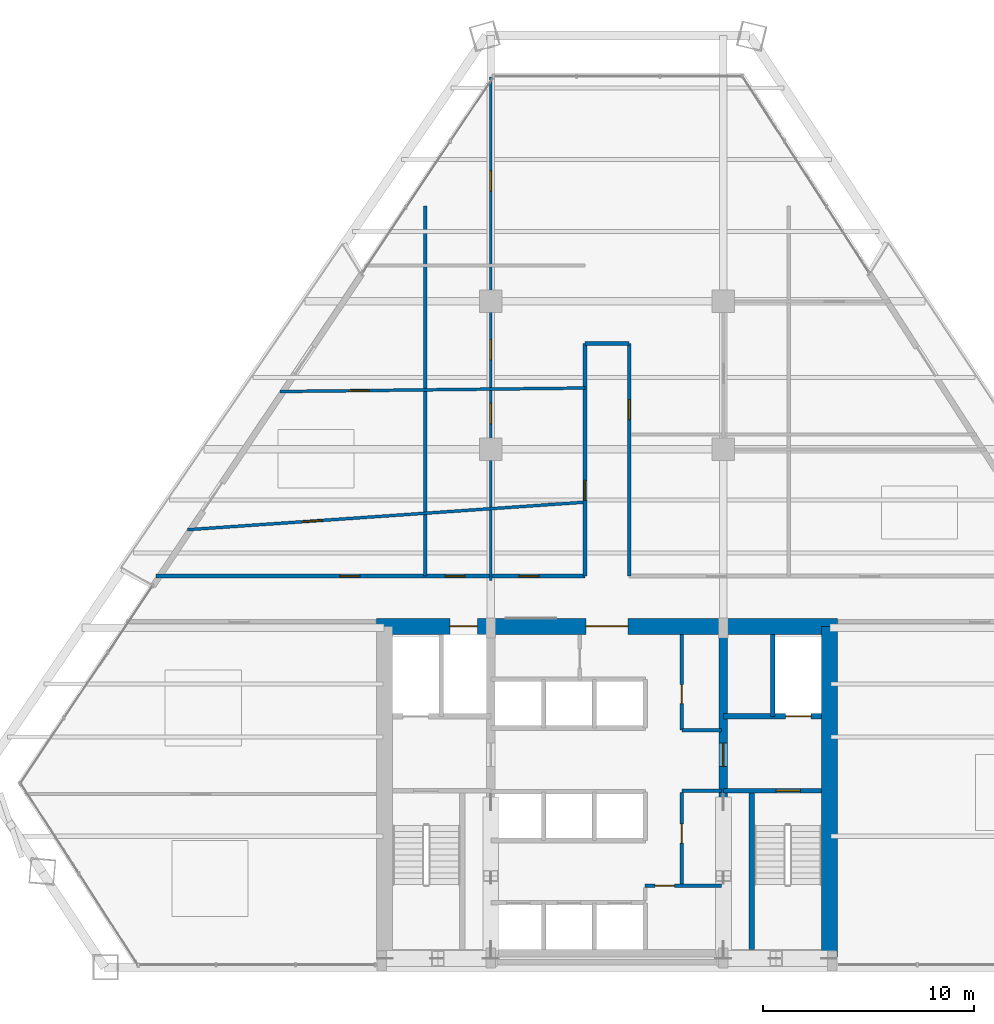
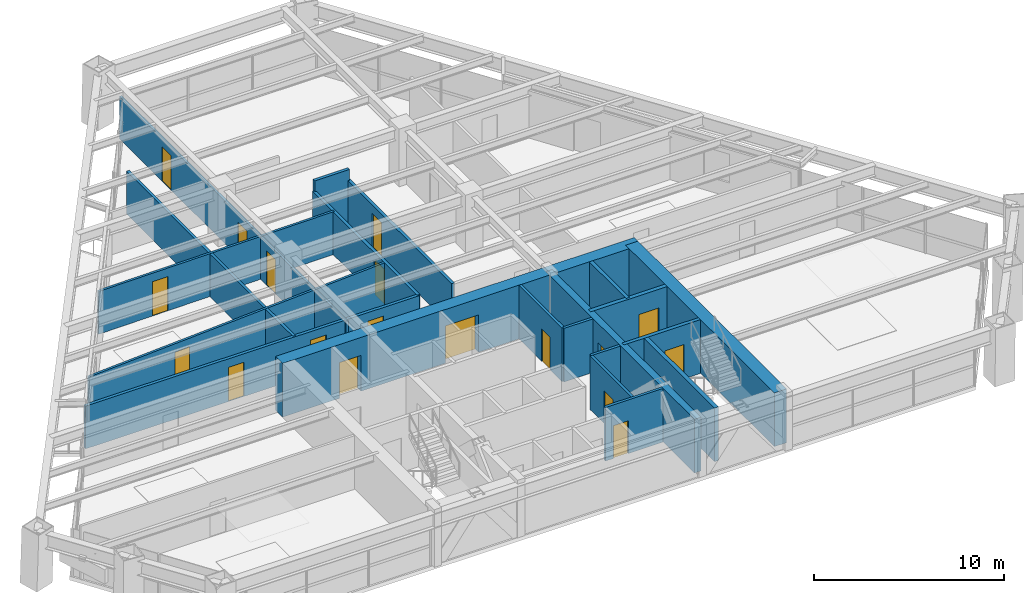
# One storey, part 11 of 14: 20 walls, 18 doors, 18 openings.
"""IFC4 building model written with IfcOpenShell, lengths in metres."""

from ifc_helpers import new_model, si_unit, direction, frame, frame_2d, origin, place, context, subcontext, project, spatial, rectangle, extrude, source, transform, mapped, material, layer, layer_set, type_object, type_shapes, element, fill, save


model = new_model("IFC4")

# Units and contexts
model_context = context("Model", 3, precision=1e-05, world=origin(), true_north=direction((0.0, 1.0)))
body_context = subcontext(model_context, "Body", "Model", "MODEL_VIEW")
ifc_project = project(units=[si_unit("LENGTHUNIT", "METRE"), si_unit("AREAUNIT", "SQUARE_METRE"), si_unit("VOLUMEUNIT", "CUBIC_METRE"), si_unit("PLANEANGLEUNIT", "RADIAN"), si_unit("MASSUNIT", "GRAM", prefix="KILO")], contexts=[model_context])

# Site, building, storey
site_placement = place(None, origin())
site = spatial("IfcSite", under=ifc_project, at=site_placement, CompositionType="ELEMENT")
building_placement = place(site_placement, origin())
building = spatial("IfcBuilding", under=site, at=building_placement, Name="Varnakhor Terracotta Tower", CompositionType="ELEMENT")
storey_placement = place(building_placement, frame((0.0, 0.0, 102.5)))
storey = spatial("IfcBuildingStorey", under=building, at=storey_placement, Name="L25", CompositionType="ELEMENT", Elevation=102.5)

# Wall, openings, doors
ifc_material_1 = material(Name="Concrete C60/75", Category="concrete")
ifc_layer_1 = layer(ifc_material_1, 0.75, Name="Concrete C60/75")
ifc_layer_set_1 = layer_set([ifc_layer_1], Name="Concrete C60/75")
wall_type_1 = type_object("IfcWallType", Name="WAL-CORE-750", PredefinedType="SHEAR", material=ifc_layer_set_1)
wall_1_placement = place(storey_placement, frame((-10.89990234375, 16.125, 0.0), z_axis=(0.0, 0.0, 1.0), x_axis=(1.0, 0.0, 0.0)))
wall_1 = element("IfcWall", 1, at=wall_1_placement, inside=storey, type_object=wall_type_1, Name="L25 North Core Shear Wall", PredefinedType="SHEAR", context=body_context, shape_type="SweptSolid", body=[
    extrude(rectangle(XDim=21.7998046875, YDim=0.75, at=frame_2d((10.89990234375, 0.0))), origin(), (0.0, 0.0, 1.0), 3.449951171875),
])
opening_1_placement = place(wall_1_placement, frame((3.469970703125, 0.0, 0.0)))
opening_1 = element("IfcOpeningElement", 2, at=opening_1_placement, cuts=wall_1, Name="Opening LD-03", PredefinedType="OPENING", context=body_context, shape_type="SweptSolid", body=[
    extrude(rectangle(XDim=1.300048828125, YDim=2.300048828125, at=frame_2d((0.64990234375, 1.14990234375))), frame((0.0, 0.385009765625, 0.0), z_axis=(0.0, -1.0, 0.0), x_axis=(1.0, 0.0, 0.0)), (0.0, 0.0, 1.0), 0.77001953125),
])
opening_2_placement = place(wall_1_placement, frame((9.89990234375, 0.0, 0.0)))
opening_2 = element("IfcOpeningElement", 3, at=opening_2_placement, cuts=wall_1, Name="Opening DR-32", PredefinedType="OPENING", context=body_context, shape_type="SweptSolid", body=[
    extrude(rectangle(XDim=2.0, YDim=2.39990234375, at=frame_2d((1.0, 1.199951171875))), frame((0.0, 0.385009765625, 0.0), z_axis=(0.0, -1.0, 0.0), x_axis=(1.0, 0.0, 0.0)), (0.0, 0.0, 1.0), 0.77001953125),
])
ifc_material_2 = material(Name="Heavy-Duty Goods Sliding Lift Landing Door", Category="steel")
door_type_1 = type_object("IfcDoorType", Name="LD-SRV-1300X2300", OperationType="NOTDEFINED", PredefinedType="DOOR", material=ifc_material_2)
shared_shape_1 = source(origin(), body_context, "Body", "SweptSolid", [
    extrude(rectangle(XDim=1.300048828125, YDim=2.300048828125, at=frame_2d((0.64990234375, 1.14990234375))), frame((0.0, 0.02490234375, 0.0), z_axis=(0.0, -1.0, 0.0), x_axis=(1.0, 0.0, 0.0)), (0.0, 0.0, 1.0), 0.050048828125),
])
type_shapes(door_type_1, [shared_shape_1])
door_1_placement = place(opening_1_placement, origin())
door_1 = element("IfcDoor", 4, at=door_1_placement, inside=storey, type_object=door_type_1, Name="L25 Service Lift SVL-1 Landing Door", OperationType="SLIDING_TO_RIGHT", OverallHeight=2.300048828125, OverallWidth=1.300048828125, PredefinedType="DOOR", context=body_context, shape_type="MappedRepresentation", body=[
    mapped(shared_shape_1, transform((0.0, 0.0, 0.0), scale=1.0)),
])
fill(opening_1, door_1)
ifc_material_3 = material(Name="Acoustic Double Assembly Fire Door", Category="wood")
door_type_2 = type_object("IfcDoorType", Name="DR-HALL-2000X2400", OperationType="NOTDEFINED", PredefinedType="DOOR", material=ifc_material_3)
shared_shape_2 = source(origin(), body_context, "Body", "SweptSolid", [
    extrude(rectangle(XDim=2.0, YDim=2.39990234375, at=frame_2d((1.0, 1.199951171875))), frame((0.0, 0.02490234375, 0.0), z_axis=(0.0, -1.0, 0.0), x_axis=(1.0, 0.0, 0.0)), (0.0, 0.0, 1.0), 0.050048828125),
])
type_shapes(door_type_2, [shared_shape_2])
door_2_placement = place(opening_2_placement, origin())
door_2 = element("IfcDoor", 5, at=door_2_placement, inside=storey, type_object=door_type_2, Name="L25 Core Main Lobby Double Door", OperationType="DOUBLE_DOOR_SINGLE_SWING", OverallHeight=2.39990234375, OverallWidth=2.0, PredefinedType="DOOR", context=body_context, shape_type="MappedRepresentation", body=[
    mapped(shared_shape_2, transform((0.0, 0.0, 0.0), scale=1.0)),
])
fill(opening_2, door_2)

# Wall
wall_2_placement = place(storey_placement, frame((10.52490234375, 0.47509765625, 0.0), z_axis=(0.0, 0.0, 1.0), x_axis=(0.0, 1.0, 0.0)))
element("IfcWall", 6, at=wall_2_placement, inside=storey, type_object=wall_type_1, Name="L25 East Core Shear Wall", PredefinedType="SHEAR", context=body_context, shape_type="SweptSolid", body=[
    extrude(rectangle(XDim=15.64990234375, YDim=0.75, at=frame_2d((7.824951171875, 0.0))), origin(), (0.0, 0.0, 1.0), 3.449951171875),
])

# Wall, opening, door
ifc_material_4 = material(Name="Concrete C50/60", Category="concrete")
ifc_layer_2 = layer(ifc_material_4, 0.39990234375, Name="Concrete C50/60")
ifc_layer_set_2 = layer_set([ifc_layer_2], Name="Concrete C50/60")
wall_type_2 = type_object("IfcWallType", Name="WAL-CORE-WEB-400", PredefinedType="SHEAR", material=ifc_layer_set_2)
wall_3_placement = place(storey_placement, frame((5.5, 0.47509765625, 0.0), z_axis=(0.0, 0.0, 1.0), x_axis=(0.0, 1.0, 0.0)))
wall_3 = element("IfcWall", 7, at=wall_3_placement, inside=storey, type_object=wall_type_2, Name="L25 East Core Web Shear Wall", PredefinedType="SHEAR", context=body_context, shape_type="SweptSolid", body=[
    extrude(rectangle(XDim=15.64990234375, YDim=0.39990234375, at=frame_2d((7.824951171875, 0.0))), origin(), (0.0, 0.0, 1.0), 3.449951171875),
])
opening_3_placement = place(wall_3_placement, frame((9.02490234375, 0.0, 0.0)))
opening_3 = element("IfcOpeningElement", 8, at=opening_3_placement, cuts=wall_3, Name="Opening DR-25", PredefinedType="OPENING", context=body_context, shape_type="SweptSolid", body=[
    extrude(rectangle(XDim=1.10009765625, YDim=2.199951171875, at=frame_2d((0.550048828125, 1.10009765625))), frame((0.0, 0.2099609375, 0.0), z_axis=(0.0, -1.0, 0.0), x_axis=(1.0, 0.0, 0.0)), (0.0, 0.0, 1.0), 0.419921875),
])
ifc_material_5 = material(Name="Firefighting Lobby Self-Closing Fire Door", Category="steel")
door_type_3 = type_object("IfcDoorType", Name="DR-FFL-1100X2200", OperationType="NOTDEFINED", PredefinedType="DOOR", material=ifc_material_5)
shared_shape_3 = source(origin(), body_context, "Body", "SweptSolid", [
    extrude(rectangle(XDim=1.10009765625, YDim=2.199951171875, at=frame_2d((0.550048828125, 1.10009765625))), frame((0.0, 0.02490234375, 0.0), z_axis=(0.0, -1.0, 0.0), x_axis=(1.0, 0.0, 0.0)), (0.0, 0.0, 1.0), 0.050048828125),
])
type_shapes(door_type_3, [shared_shape_3])
door_3_placement = place(opening_3_placement, origin())
door_3 = element("IfcDoor", 9, at=door_3_placement, inside=storey, type_object=door_type_3, Name="L25 East Firefighting Lobby Door", OperationType="SINGLE_SWING_LEFT", OverallHeight=2.199951171875, OverallWidth=1.10009765625, PredefinedType="DOOR", context=body_context, shape_type="MappedRepresentation", body=[
    mapped(shared_shape_3, transform((0.0, 0.0, 0.0), scale=1.0)),
])
fill(opening_3, door_3)

# Wall, openings, doors
ifc_material_6 = material(Name="Fire-Rated Gypsum Stud Partition", Category="gypsum")
ifc_layer_3 = layer(ifc_material_6, 0.18505859375, Name="Fire-Rated Gypsum Stud Partition")
ifc_layer_set_3 = layer_set([ifc_layer_3], Name="Fire-Rated Gypsum Stud Partition")
wall_type_3 = type_object("IfcWallType", Name="WAL-CORR-185", PredefinedType="PARTITIONING", material=ifc_layer_set_3)
wall_4_placement = place(storey_placement, frame((-21.322021484375, 18.5, 0.0), z_axis=(0.0, 0.0, 1.0), x_axis=(1.0, 0.0, 0.0)))
wall_4 = element("IfcWall", 10, at=wall_4_placement, inside=storey, type_object=wall_type_3, Name="L25 Corridor North West Wall", PredefinedType="PARTITIONING", context=body_context, shape_type="SweptSolid", body=[
    extrude(rectangle(XDim=20.27197265625, YDim=0.18505859375, at=frame_2d((10.135986328125, 0.0))), origin(), (0.0, 0.0, 1.0), 2.7470703125),
])
opening_4_placement = place(wall_4_placement, frame((8.681396484375, 0.0, 0.0)))
opening_4 = element("IfcOpeningElement", 11, at=opening_4_placement, cuts=wall_4, Name="Opening DR-94", PredefinedType="OPENING", context=body_context, shape_type="SweptSolid", body=[
    extrude(rectangle(XDim=0.949951171875, YDim=2.199951171875, at=frame_2d((0.47509765625, 1.10009765625))), frame((0.0, 0.1025390625, 0.0), z_axis=(0.0, -1.0, 0.0), x_axis=(1.0, 0.0, 0.0)), (0.0, 0.0, 1.0), 0.205078125),
])
opening_5_placement = place(wall_4_placement, frame((13.664306640625, 0.0, 0.0)))
opening_5 = element("IfcOpeningElement", 12, at=opening_5_placement, cuts=wall_4, Name="Opening DR-94", PredefinedType="OPENING", context=body_context, shape_type="SweptSolid", body=[
    extrude(rectangle(XDim=0.949951171875, YDim=2.199951171875, at=frame_2d((0.47509765625, 1.10009765625))), frame((0.0, 0.1025390625, 0.0), z_axis=(0.0, -1.0, 0.0), x_axis=(1.0, 0.0, 0.0)), (0.0, 0.0, 1.0), 0.205078125),
])
opening_6_placement = place(wall_4_placement, frame((17.15380859375, 0.0, 0.0)))
opening_6 = element("IfcOpeningElement", 13, at=opening_6_placement, cuts=wall_4, Name="Opening DR-94", PredefinedType="OPENING", context=body_context, shape_type="SweptSolid", body=[
    extrude(rectangle(XDim=0.949951171875, YDim=2.199951171875, at=frame_2d((0.47509765625, 1.10009765625))), frame((0.0, 0.1025390625, 0.0), z_axis=(0.0, -1.0, 0.0), x_axis=(1.0, 0.0, 0.0)), (0.0, 0.0, 1.0), 0.205078125),
])
ifc_material_7 = material(Name="Acoustic Glazed-Vision Timber Office Door", Category="wood")
door_type_4 = type_object("IfcDoorType", Name="DR-OFF-950X2200", OperationType="NOTDEFINED", PredefinedType="DOOR", material=ifc_material_7)
shared_shape_4 = source(origin(), body_context, "Body", "SweptSolid", [
    extrude(rectangle(XDim=0.949951171875, YDim=2.199951171875, at=frame_2d((0.47509765625, 1.10009765625))), frame((0.0, 0.02490234375, 0.0), z_axis=(0.0, -1.0, 0.0), x_axis=(1.0, 0.0, 0.0)), (0.0, 0.0, 1.0), 0.050048828125),
])
type_shapes(door_type_4, [shared_shape_4])
door_4_placement = place(opening_4_placement, origin())
door_4 = element("IfcDoor", 14, at=door_4_placement, inside=storey, type_object=door_type_4, Name="L25 West Workplace Door", OperationType="SINGLE_SWING_RIGHT", OverallHeight=2.199951171875, OverallWidth=0.949951171875, PredefinedType="DOOR", context=body_context, shape_type="MappedRepresentation", body=[
    mapped(shared_shape_4, transform((0.0, 0.0, 0.0), scale=1.0)),
])
fill(opening_4, door_4)
door_5_placement = place(opening_5_placement, origin())
door_5 = element("IfcDoor", 15, at=door_5_placement, inside=storey, type_object=door_type_4, Name="L25 Breakout Tea Room B6 Door", OperationType="SINGLE_SWING_LEFT", OverallHeight=2.199951171875, OverallWidth=0.949951171875, PredefinedType="DOOR", context=body_context, shape_type="MappedRepresentation", body=[
    mapped(shared_shape_4, transform((0.0, 0.0, 0.0), scale=1.0)),
])
fill(opening_5, door_5)
door_6_placement = place(opening_6_placement, origin())
door_6 = element("IfcDoor", 16, at=door_6_placement, inside=storey, type_object=door_type_4, Name="L25 Admin Office B7 Door", OperationType="SINGLE_SWING_RIGHT", OverallHeight=2.199951171875, OverallWidth=0.949951171875, PredefinedType="DOOR", context=body_context, shape_type="MappedRepresentation", body=[
    mapped(shared_shape_4, transform((0.0, 0.0, 0.0), scale=1.0)),
])
fill(opening_6, door_6)

# Wall, opening, door
wall_5_placement = place(storey_placement, frame((-1.050048828125, 18.5, 0.0), z_axis=(0.0, 0.0, 1.0), x_axis=(0.0, 1.0, 0.0)))
wall_5 = element("IfcWall", 17, at=wall_5_placement, inside=storey, type_object=wall_type_3, Name="L25 Spine West Wall", PredefinedType="PARTITIONING", context=body_context, shape_type="SweptSolid", body=[
    extrude(rectangle(XDim=11.0, YDim=0.18505859375, at=frame_2d((5.5, 0.0))), origin(), (0.0, 0.0, 1.0), 2.7470703125),
])
opening_7_placement = place(wall_5_placement, frame((3.580078125, 0.0, 0.0)))
opening_7 = element("IfcOpeningElement", 18, at=opening_7_placement, cuts=wall_5, Name="Opening DR-94", PredefinedType="OPENING", context=body_context, shape_type="SweptSolid", body=[
    extrude(rectangle(XDim=0.949951171875, YDim=2.199951171875, at=frame_2d((0.47509765625, 1.10009765625))), frame((0.0, 0.1025390625, 0.0), z_axis=(0.0, -1.0, 0.0), x_axis=(1.0, 0.0, 0.0)), (0.0, 0.0, 1.0), 0.205078125),
])
door_7_placement = place(opening_7_placement, origin())
door_7 = element("IfcDoor", 19, at=door_7_placement, inside=storey, type_object=door_type_4, Name="L25 Spine West Door", OperationType="SINGLE_SWING_RIGHT", OverallHeight=2.199951171875, OverallWidth=0.949951171875, PredefinedType="DOOR", context=body_context, shape_type="MappedRepresentation", body=[
    mapped(shared_shape_4, transform((0.0, 0.0, 0.0), scale=1.0)),
])
fill(opening_7, door_7)

wall_6_placement = place(storey_placement, frame((1.050048828125, 18.5, 0.0), z_axis=(0.0, 0.0, 1.0), x_axis=(0.0, 1.0, 0.0)))
wall_6 = element("IfcWall", 20, at=wall_6_placement, inside=storey, type_object=wall_type_3, Name="L25 Spine East Wall", PredefinedType="PARTITIONING", context=body_context, shape_type="SweptSolid", body=[
    extrude(rectangle(XDim=11.0, YDim=0.18505859375, at=frame_2d((5.5, 0.0))), origin(), (0.0, 0.0, 1.0), 2.7470703125),
])
opening_8_placement = place(wall_6_placement, frame((7.402587890625, 0.0, 0.0)))
opening_8 = element("IfcOpeningElement", 21, at=opening_8_placement, cuts=wall_6, Name="Opening DR-94", PredefinedType="OPENING", context=body_context, shape_type="SweptSolid", body=[
    extrude(rectangle(XDim=0.949951171875, YDim=2.199951171875, at=frame_2d((0.47509765625, 1.10009765625))), frame((0.0, 0.1025390625, 0.0), z_axis=(0.0, -1.0, 0.0), x_axis=(1.0, 0.0, 0.0)), (0.0, 0.0, 1.0), 0.205078125),
])
door_8_placement = place(opening_8_placement, origin())
door_8 = element("IfcDoor", 22, at=door_8_placement, inside=storey, type_object=door_type_4, Name="L25 Spine East Door", OperationType="SINGLE_SWING_LEFT", OverallHeight=2.199951171875, OverallWidth=0.949951171875, PredefinedType="DOOR", context=body_context, shape_type="MappedRepresentation", body=[
    mapped(shared_shape_4, transform((0.0, 0.0, 0.0), scale=1.0)),
])
fill(opening_8, door_8)

# Wall
wall_7_placement = place(storey_placement, frame((-1.050048828125, 29.5, 0.0), z_axis=(0.0, 0.0, 1.0), x_axis=(1.0, 0.0, 0.0)))
element("IfcWall", 23, at=wall_7_placement, inside=storey, type_object=wall_type_3, Name="L25 Spine North End Wall", PredefinedType="PARTITIONING", context=body_context, shape_type="SweptSolid", body=[
    extrude(rectangle(XDim=2.10009765625, YDim=0.18505859375, at=frame_2d((1.050048828125, 0.0))), origin(), (0.0, 0.0, 1.0), 3.44189453125),
])

# Wall, opening, door
ifc_material_8 = material(Name="Concrete C40/50", Category="concrete")
ifc_layer_4 = layer(ifc_material_8, 0.219970703125, Name="Concrete C40/50")
ifc_layer_set_4 = layer_set([ifc_layer_4], Name="Concrete C40/50")
wall_type_4 = type_object("IfcWallType", Name="WAL-FFLOBBY-220", PredefinedType="SOLIDWALL", material=ifc_layer_set_4)
wall_8_placement = place(storey_placement, frame((10.14990234375, 8.35009765625, 0.0), z_axis=(0.0, 0.0, 1.0), x_axis=(-1.0, 0.0, 0.0)))
wall_8 = element("IfcWall", 24, at=wall_8_placement, inside=storey, type_object=wall_type_4, Name="L25 East Firefighting Lobby Stair Wall", PredefinedType="SOLIDWALL", context=body_context, shape_type="SweptSolid", body=[
    extrude(rectangle(XDim=4.64990234375, YDim=0.219970703125, at=frame_2d((2.324951171875, 0.0))), origin(), (0.0, 0.0, 1.0), 3.449951171875),
])
opening_9_placement = place(wall_8_placement, frame((1.0, 0.0, 0.0)))
opening_9 = element("IfcOpeningElement", 25, at=opening_9_placement, cuts=wall_8, Name="Opening DR-34", PredefinedType="OPENING", context=body_context, shape_type="SweptSolid", body=[
    extrude(rectangle(XDim=1.14990234375, YDim=2.199951171875, at=frame_2d((0.574951171875, 1.10009765625))), frame((0.0, 0.1201171875, 0.0), z_axis=(0.0, -1.0, 0.0), x_axis=(1.0, 0.0, 0.0)), (0.0, 0.0, 1.0), 0.239990234375),
])
ifc_material_9 = material(Name="Self-Closing Smoke-Sealed Steel Fire Door", Category="steel")
door_type_5 = type_object("IfcDoorType", Name="DR-STAIR-1150X2200", OperationType="NOTDEFINED", PredefinedType="DOOR", material=ifc_material_9)
shared_shape_5 = source(origin(), body_context, "Body", "SweptSolid", [
    extrude(rectangle(XDim=1.14990234375, YDim=2.199951171875, at=frame_2d((0.574951171875, 1.10009765625))), frame((0.0, 0.02490234375, 0.0), z_axis=(0.0, -1.0, 0.0), x_axis=(1.0, 0.0, 0.0)), (0.0, 0.0, 1.0), 0.050048828125),
])
type_shapes(door_type_5, [shared_shape_5])
door_9_placement = place(opening_9_placement, origin())
door_9 = element("IfcDoor", 26, at=door_9_placement, inside=storey, type_object=door_type_5, Name="L25 Exit Stair ST-2 Fire Door", OperationType="SINGLE_SWING_RIGHT", OverallHeight=2.199951171875, OverallWidth=1.14990234375, PredefinedType="DOOR", context=body_context, shape_type="MappedRepresentation", body=[
    mapped(shared_shape_5, transform((0.0, 0.0, 0.0), scale=1.0)),
])
fill(opening_9, door_9)

# Wall, openings, doors
ifc_material_10 = material(Name="Acoustic Metal-Stud Partition", Category="gypsum")
ifc_layer_5 = layer(ifc_material_10, 0.139892578125, Name="Acoustic Metal-Stud Partition")
ifc_layer_set_5 = layer_set([ifc_layer_5], Name="Acoustic Metal-Stud Partition")
wall_type_5 = type_object("IfcWallType", Name="WAL-PART-140", PredefinedType="PARTITIONING", material=ifc_layer_set_5)
wall_9_placement = place(storey_placement, frame((-5.5, 18.300048828125, 0.0), z_axis=(0.0, 0.0, 1.0), x_axis=(0.0, 1.0, 0.0)))
wall_9 = element("IfcWall", 27, at=wall_9_placement, inside=storey, type_object=wall_type_5, Name="L25 West Full Column Wall", PredefinedType="PARTITIONING", context=body_context, shape_type="SweptSolid", body=[
    extrude(rectangle(XDim=23.81982421875, YDim=0.139892578125, at=frame_2d((11.909912109375, 0.0))), origin(), (0.0, 0.0, 1.0), 2.7470703125),
])
opening_10_placement = place(wall_9_placement, frame((7.418701171875, 0.0, 0.0)))
opening_10 = element("IfcOpeningElement", 28, at=opening_10_placement, cuts=wall_9, Name="Opening DR-94", PredefinedType="OPENING", context=body_context, shape_type="SweptSolid", body=[
    extrude(rectangle(XDim=0.949951171875, YDim=2.199951171875, at=frame_2d((0.47509765625, 1.10009765625))), frame((0.0, 0.080078125, 0.0), z_axis=(0.0, -1.0, 0.0), x_axis=(1.0, 0.0, 0.0)), (0.0, 0.0, 1.0), 0.159912109375),
])
opening_11_placement = place(wall_9_placement, frame((10.436279296875, 0.0, 0.0)))
opening_11 = element("IfcOpeningElement", 29, at=opening_11_placement, cuts=wall_9, Name="Opening DR-94", PredefinedType="OPENING", context=body_context, shape_type="SweptSolid", body=[
    extrude(rectangle(XDim=0.949951171875, YDim=2.199951171875, at=frame_2d((0.47509765625, 1.10009765625))), frame((0.0, 0.080078125, 0.0), z_axis=(0.0, -1.0, 0.0), x_axis=(1.0, 0.0, 0.0)), (0.0, 0.0, 1.0), 0.159912109375),
])
opening_12_placement = place(wall_9_placement, frame((18.41845703125, 0.0, 0.0)))
opening_12 = element("IfcOpeningElement", 30, at=opening_12_placement, cuts=wall_9, Name="Opening DR-94", PredefinedType="OPENING", context=body_context, shape_type="SweptSolid", body=[
    extrude(rectangle(XDim=0.949951171875, YDim=2.199951171875, at=frame_2d((0.47509765625, 1.10009765625))), frame((0.0, 0.080078125, 0.0), z_axis=(0.0, -1.0, 0.0), x_axis=(1.0, 0.0, 0.0)), (0.0, 0.0, 1.0), 0.159912109375),
])
door_10_placement = place(opening_10_placement, origin())
door_10 = element("IfcDoor", 31, at=door_10_placement, inside=storey, type_object=door_type_4, Name="L25 Research Studio E1 B11 Door", OperationType="SINGLE_SWING_LEFT", OverallHeight=2.199951171875, OverallWidth=0.949951171875, PredefinedType="DOOR", context=body_context, shape_type="MappedRepresentation", body=[
    mapped(shared_shape_4, transform((0.0, 0.0, 0.0), scale=1.0)),
])
fill(opening_10, door_10)
door_11_placement = place(opening_11_placement, origin())
door_11 = element("IfcDoor", 32, at=door_11_placement, inside=storey, type_object=door_type_4, Name="L25 Executive Suite North B16 Door", OperationType="SINGLE_SWING_RIGHT", OverallHeight=2.199951171875, OverallWidth=0.949951171875, PredefinedType="DOOR", context=body_context, shape_type="MappedRepresentation", body=[
    mapped(shared_shape_4, transform((0.0, 0.0, 0.0), scale=1.0)),
])
fill(opening_11, door_11)
door_12_placement = place(opening_12_placement, origin())
door_12 = element("IfcDoor", 33, at=door_12_placement, inside=storey, type_object=door_type_4, Name="L25 Quantitative Office W2 B18 Door", OperationType="SINGLE_SWING_LEFT", OverallHeight=2.199951171875, OverallWidth=0.949951171875, PredefinedType="DOOR", context=body_context, shape_type="MappedRepresentation", body=[
    mapped(shared_shape_4, transform((0.0, 0.0, 0.0), scale=1.0)),
])
fill(opening_12, door_12)

# Wall, opening, door
wall_10_placement = place(storey_placement, frame((-19.85009765625, 20.697509765625, 0.0), z_axis=(0.0, 0.0, 1.0), x_axis=(0.997608661769, 0.069115540686, 0.0)))
wall_10 = element("IfcWall", 34, at=wall_10_placement, inside=storey, type_object=wall_type_5, Name="L25 West Wing Cut 1", PredefinedType="PARTITIONING", context=body_context, shape_type="SweptSolid", body=[
    extrude(rectangle(XDim=18.84521484375, YDim=0.139892578125, at=frame_2d((9.422607421875, 0.0))), origin(), (0.0, 0.0, 1.0), 2.7470703125),
])
opening_13_placement = place(wall_10_placement, frame((5.44775390625, 0.0, 0.0)))
opening_13 = element("IfcOpeningElement", 35, at=opening_13_placement, cuts=wall_10, Name="Opening DR-94", PredefinedType="OPENING", context=body_context, shape_type="SweptSolid", body=[
    extrude(rectangle(XDim=0.949951171875, YDim=2.199951171875, at=frame_2d((0.47509765625, 1.10009765625))), frame((0.0, 0.080078125, 0.0), z_axis=(0.0, -1.0, 0.0), x_axis=(1.0, 0.0, 0.0)), (0.0, 0.0, 1.0), 0.159912109375),
])
door_13_placement = place(opening_13_placement, origin())
door_13 = element("IfcDoor", 36, at=door_13_placement, inside=storey, type_object=door_type_4, Name="L25 Research Studio E1 Door", OperationType="SINGLE_SWING_RIGHT", OverallHeight=2.199951171875, OverallWidth=0.949951171875, PredefinedType="DOOR", context=body_context, shape_type="MappedRepresentation", body=[
    mapped(shared_shape_4, transform((0.0, 0.0, 0.0), scale=1.0)),
])
fill(opening_13, door_13)

wall_11_placement = place(storey_placement, frame((-15.4716796875, 27.23388671875, 0.0), z_axis=(0.0, 0.0, 1.0), x_axis=(0.999933748453, 0.011510808162, 0.0)))
wall_11 = element("IfcWall", 37, at=wall_11_placement, inside=storey, type_object=wall_type_5, Name="L25 West Wing Cut 2", PredefinedType="PARTITIONING", context=body_context, shape_type="SweptSolid", body=[
    extrude(rectangle(XDim=14.422607421875, YDim=0.139892578125, at=frame_2d((7.21142578125, 0.0))), origin(), (0.0, 0.0, 1.0), 2.7470703125),
])
opening_14_placement = place(wall_11_placement, frame((3.2783203125, 0.0, 0.0)))
opening_14 = element("IfcOpeningElement", 38, at=opening_14_placement, cuts=wall_11, Name="Opening DR-94", PredefinedType="OPENING", context=body_context, shape_type="SweptSolid", body=[
    extrude(rectangle(XDim=0.949951171875, YDim=2.199951171875, at=frame_2d((0.47509765625, 1.10009765625))), frame((0.0, 0.080078125, 0.0), z_axis=(0.0, -1.0, 0.0), x_axis=(1.0, 0.0, 0.0)), (0.0, 0.0, 1.0), 0.159912109375),
])
door_14_placement = place(opening_14_placement, origin())
door_14 = element("IfcDoor", 39, at=door_14_placement, inside=storey, type_object=door_type_4, Name="L25 Project Huddle Room Door", OperationType="SINGLE_SWING_RIGHT", OverallHeight=2.199951171875, OverallWidth=0.949951171875, PredefinedType="DOOR", context=body_context, shape_type="MappedRepresentation", body=[
    mapped(shared_shape_4, transform((0.0, 0.0, 0.0), scale=1.0)),
])
fill(opening_14, door_14)

# Walls
ifc_layer_6 = layer(ifc_material_8, 0.219970703125, Name="Concrete C40/50")
ifc_layer_set_6 = layer_set([ifc_layer_6], Name="Concrete C40/50")
wall_type_6 = type_object("IfcWallType", Name="WAL-SHAFT-220", PredefinedType="SOLIDWALL", material=ifc_layer_set_6)
wall_12_placement = place(storey_placement, frame((7.840087890625, 11.8701171875, 0.0), z_axis=(0.0, 0.0, 1.0), x_axis=(0.0, 1.0, 0.0)))
element("IfcWall", 40, at=wall_12_placement, inside=storey, type_object=wall_type_6, Name="L25 Lift FFL-2 and Riser Divider Wall", PredefinedType="SOLIDWALL", context=body_context, shape_type="SweptSolid", body=[
    extrude(rectangle(XDim=3.8798828125, YDim=0.219970703125, at=frame_2d((1.93994140625, 0.0))), origin(), (0.0, 0.0, 1.0), 3.449951171875),
])
ifc_layer_7 = layer(ifc_material_8, 0.25, Name="Concrete C40/50")
ifc_layer_set_7 = layer_set([ifc_layer_7], Name="Concrete C40/50")
wall_type_7 = type_object("IfcWallType", Name="WAL-SHAFT-250", PredefinedType="SOLIDWALL", material=ifc_layer_set_7)
wall_13_placement = place(storey_placement, frame((6.85009765625, 0.85009765625, 0.0), z_axis=(0.0, 0.0, 1.0), x_axis=(0.0, 1.0, 0.0)))
element("IfcWall", 41, at=wall_13_placement, inside=storey, type_object=wall_type_7, Name="L25 Stair ST-2 Bearing Shaft Wall", PredefinedType="SOLIDWALL", context=body_context, shape_type="SweptSolid", body=[
    extrude(rectangle(XDim=7.5, YDim=0.25, at=frame_2d((3.75, 0.0))), origin(), (0.0, 0.0, 1.0), 3.449951171875),
])

# Wall, opening, door
wall_14_placement = place(storey_placement, frame((10.14990234375, 11.8701171875, 0.0), z_axis=(0.0, 0.0, 1.0), x_axis=(-1.0, 0.0, 0.0)))
wall_14 = element("IfcWall", 42, at=wall_14_placement, inside=storey, type_object=wall_type_7, Name="L25 Lift FFL-2 Shaft Front Wall", PredefinedType="SOLIDWALL", context=body_context, shape_type="SweptSolid", body=[
    extrude(rectangle(XDim=4.64990234375, YDim=0.25, at=frame_2d((2.324951171875, 0.0))), origin(), (0.0, 0.0, 1.0), 3.449951171875),
])
opening_15_placement = place(wall_14_placement, frame((0.5, 0.0, 0.0)))
opening_15 = element("IfcOpeningElement", 43, at=opening_15_placement, cuts=wall_14, Name="Opening LD-02", PredefinedType="OPENING", context=body_context, shape_type="SweptSolid", body=[
    extrude(rectangle(XDim=1.199951171875, YDim=2.25, at=frame_2d((0.60009765625, 1.125))), frame((0.0, 0.135009765625, 0.0), z_axis=(0.0, -1.0, 0.0), x_axis=(1.0, 0.0, 0.0)), (0.0, 0.0, 1.0), 0.27001953125),
])
ifc_material_11 = material(Name="Firefighting Stretcher Sliding Lift Landing Door", Category="steel")
door_type_6 = type_object("IfcDoorType", Name="LD-FFL-1200X2250", OperationType="NOTDEFINED", PredefinedType="DOOR", material=ifc_material_11)
shared_shape_6 = source(origin(), body_context, "Body", "SweptSolid", [
    extrude(rectangle(XDim=1.199951171875, YDim=2.25, at=frame_2d((0.60009765625, 1.125))), frame((0.0, 0.02490234375, 0.0), z_axis=(0.0, -1.0, 0.0), x_axis=(1.0, 0.0, 0.0)), (0.0, 0.0, 1.0), 0.050048828125),
])
type_shapes(door_type_6, [shared_shape_6])
door_15_placement = place(opening_15_placement, origin())
door_15 = element("IfcDoor", 44, at=door_15_placement, inside=storey, type_object=door_type_6, Name="L25 Firefighting Lift FFL-2 Landing Door", OperationType="SLIDING_TO_RIGHT", OverallHeight=2.25, OverallWidth=1.199951171875, PredefinedType="DOOR", context=body_context, shape_type="MappedRepresentation", body=[
    mapped(shared_shape_6, transform((0.0, 0.0, 0.0), scale=1.0)),
])
fill(opening_15, door_15)

ifc_material_12 = material(Name="Acoustic Fire-Rated Partition", Category="gypsum")
ifc_layer_8 = layer(ifc_material_12, 0.1650390625, Name="Acoustic Fire-Rated Partition")
ifc_layer_set_8 = layer_set([ifc_layer_8], Name="Acoustic Fire-Rated Partition")
wall_type_8 = type_object("IfcWallType", Name="WAL-TENANCY-165", PredefinedType="PARTITIONING", material=ifc_layer_set_8)
wall_15_placement = place(storey_placement, frame((3.5400390625, 3.9326171875, 0.0), z_axis=(0.0, 0.0, 1.0), x_axis=(0.0, 1.0, 0.0)))
wall_15 = element("IfcWall", 45, at=wall_15_placement, inside=storey, type_object=wall_type_8, Name="L25 Core Service Rated Wall", PredefinedType="PARTITIONING", context=body_context, shape_type="SweptSolid", body=[
    extrude(rectangle(XDim=4.324951171875, YDim=0.1650390625, at=frame_2d((2.16259765625, 0.0))), origin(), (0.0, 0.0, 1.0), 3.44189453125),
])
opening_16_placement = place(wall_15_placement, frame((1.9462890625, 0.0, 0.0)))
opening_16 = element("IfcOpeningElement", 46, at=opening_16_placement, cuts=wall_15, Name="Opening DR-67", PredefinedType="OPENING", context=body_context, shape_type="SweptSolid", body=[
    extrude(rectangle(XDim=0.89990234375, YDim=2.10009765625, at=frame_2d((0.449951171875, 1.050048828125))), frame((0.0, 0.092529296875, 0.0), z_axis=(0.0, -1.0, 0.0), x_axis=(1.0, 0.0, 0.0)), (0.0, 0.0, 1.0), 0.18505859375),
])
ifc_material_13 = material(Name="Steel Service Riser Fire Door", Category="steel")
door_type_7 = type_object("IfcDoorType", Name="DR-RISER-900X2100", OperationType="NOTDEFINED", PredefinedType="DOOR", material=ifc_material_13)
shared_shape_7 = source(origin(), body_context, "Body", "SweptSolid", [
    extrude(rectangle(XDim=0.89990234375, YDim=2.10009765625, at=frame_2d((0.449951171875, 1.050048828125))), frame((0.0, 0.02490234375, 0.0), z_axis=(0.0, -1.0, 0.0), x_axis=(1.0, 0.0, 0.0)), (0.0, 0.0, 1.0), 0.050048828125),
])
type_shapes(door_type_7, [shared_shape_7])
door_16_placement = place(opening_16_placement, origin())
door_16 = element("IfcDoor", 47, at=door_16_placement, inside=storey, type_object=door_type_7, Name="L25 Core Accessible WC Door", OperationType="SINGLE_SWING_LEFT", OverallHeight=2.10009765625, OverallWidth=0.89990234375, PredefinedType="DOOR", context=body_context, shape_type="MappedRepresentation", body=[
    mapped(shared_shape_7, transform((0.0, 0.0, 0.0), scale=1.0)),
])
fill(opening_16, door_16)

# Wall
wall_16_placement = place(storey_placement, frame((3.5400390625, 8.340087890625, 0.0), z_axis=(0.0, 0.0, 1.0), x_axis=(1.0, 0.0, 0.0)))
element("IfcWall", 48, at=wall_16_placement, inside=storey, type_object=wall_type_8, Name="L25 Accessible WC North Wall", PredefinedType="PARTITIONING", context=body_context, shape_type="SweptSolid", body=[
    extrude(rectangle(XDim=1.8798828125, YDim=0.1650390625, at=frame_2d((0.93994140625, 0.0))), origin(), (0.0, 0.0, 1.0), 3.44189453125),
])

# Wall, opening, door
wall_17_placement = place(storey_placement, frame((1.800048828125, 3.85009765625, 0.0), z_axis=(0.0, 0.0, 1.0), x_axis=(1.0, 0.0, 0.0)))
wall_17 = element("IfcWall", 49, at=wall_17_placement, inside=storey, type_object=wall_type_8, Name="L25 Core South Service Rated Wall", PredefinedType="PARTITIONING", context=body_context, shape_type="SweptSolid", body=[
    extrude(rectangle(XDim=3.619873046875, YDim=0.1650390625, at=frame_2d((1.81005859375, 0.0))), origin(), (0.0, 0.0, 1.0), 3.44189453125),
])
opening_17_placement = place(wall_17_placement, frame((0.47998046875, 0.0, 0.0)))
opening_17 = element("IfcOpeningElement", 50, at=opening_17_placement, cuts=wall_17, Name="Opening DR-67", PredefinedType="OPENING", context=body_context, shape_type="SweptSolid", body=[
    extrude(rectangle(XDim=0.89990234375, YDim=2.10009765625, at=frame_2d((0.449951171875, 1.050048828125))), frame((0.0, 0.092529296875, 0.0), z_axis=(0.0, -1.0, 0.0), x_axis=(1.0, 0.0, 0.0)), (0.0, 0.0, 1.0), 0.18505859375),
])
door_17_placement = place(opening_17_placement, origin())
door_17 = element("IfcDoor", 51, at=door_17_placement, inside=storey, type_object=door_type_7, Name="L25 Core IT Room Door", OperationType="SINGLE_SWING_RIGHT", OverallHeight=2.10009765625, OverallWidth=0.89990234375, PredefinedType="DOOR", context=body_context, shape_type="MappedRepresentation", body=[
    mapped(shared_shape_7, transform((0.0, 0.0, 0.0), scale=1.0)),
])
fill(opening_17, door_17)

wall_18_placement = place(storey_placement, frame((3.5400390625, 11.219970703125, 0.0), z_axis=(0.0, 0.0, 1.0), x_axis=(0.0, 1.0, 0.0)))
wall_18 = element("IfcWall", 52, at=wall_18_placement, inside=storey, type_object=wall_type_8, Name="L25 Restroom Corridor Wall", PredefinedType="PARTITIONING", context=body_context, shape_type="SweptSolid", body=[
    extrude(rectangle(XDim=4.530029296875, YDim=0.1650390625, at=frame_2d((2.26513671875, 0.0))), origin(), (0.0, 0.0, 1.0), 3.44189453125),
])
opening_18_placement = place(wall_18_placement, frame((1.25, 0.0, 0.0)))
opening_18 = element("IfcOpeningElement", 53, at=opening_18_placement, cuts=wall_18, Name="Opening DR-67", PredefinedType="OPENING", context=body_context, shape_type="SweptSolid", body=[
    extrude(rectangle(XDim=0.89990234375, YDim=2.10009765625, at=frame_2d((0.449951171875, 1.050048828125))), frame((0.0, 0.092529296875, 0.0), z_axis=(0.0, -1.0, 0.0), x_axis=(1.0, 0.0, 0.0)), (0.0, 0.0, 1.0), 0.18505859375),
])
door_18_placement = place(opening_18_placement, origin())
door_18 = element("IfcDoor", 54, at=door_18_placement, inside=storey, type_object=door_type_7, Name="L25 Female WC Door", OperationType="SINGLE_SWING_LEFT", OverallHeight=2.10009765625, OverallWidth=0.89990234375, PredefinedType="DOOR", context=body_context, shape_type="MappedRepresentation", body=[
    mapped(shared_shape_7, transform((0.0, 0.0, 0.0), scale=1.0)),
])
fill(opening_18, door_18)

# Walls
wall_19_placement = place(storey_placement, frame((3.5400390625, 11.219970703125, 0.0), z_axis=(0.0, 0.0, 1.0), x_axis=(1.0, 0.0, 0.0)))
element("IfcWall", 55, at=wall_19_placement, inside=storey, type_object=wall_type_8, Name="L25 Restroom South Wall", PredefinedType="PARTITIONING", context=body_context, shape_type="SweptSolid", body=[
    extrude(rectangle(XDim=1.8798828125, YDim=0.1650390625, at=frame_2d((0.93994140625, 0.0))), origin(), (0.0, 0.0, 1.0), 3.44189453125),
])
wall_20_placement = place(storey_placement, frame((-8.60009765625, 18.5, 0.0), z_axis=(0.0, 0.0, 1.0), x_axis=(0.0, 1.0, 0.0)))
element("IfcWall", 56, at=wall_20_placement, inside=storey, type_object=wall_type_8, Name="L25 West Cellular Line", PredefinedType="PARTITIONING", context=body_context, shape_type="SweptSolid", body=[
    extrude(rectangle(XDim=17.5, YDim=0.1650390625, at=frame_2d((8.75, 0.0))), origin(), (0.0, 0.0, 1.0), 2.7470703125),
])

save(model, "model.ifc")
